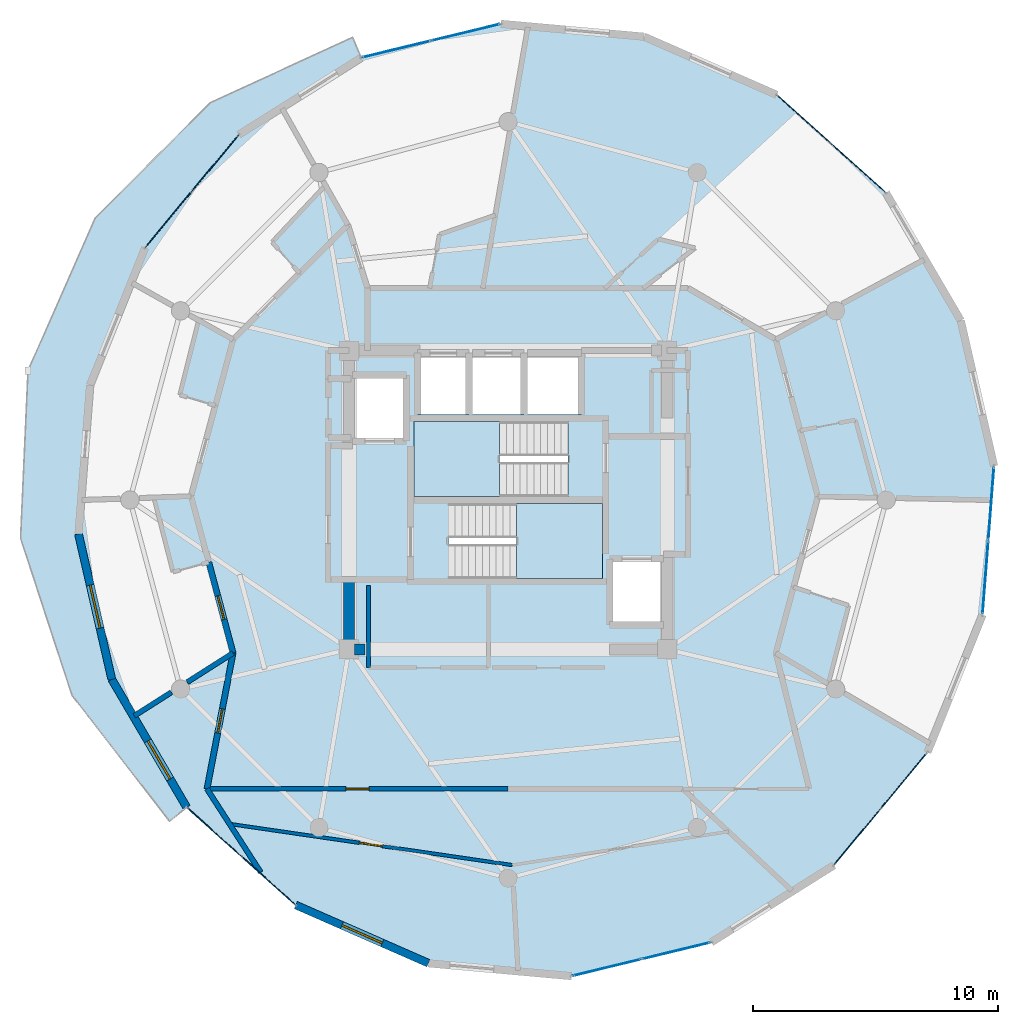
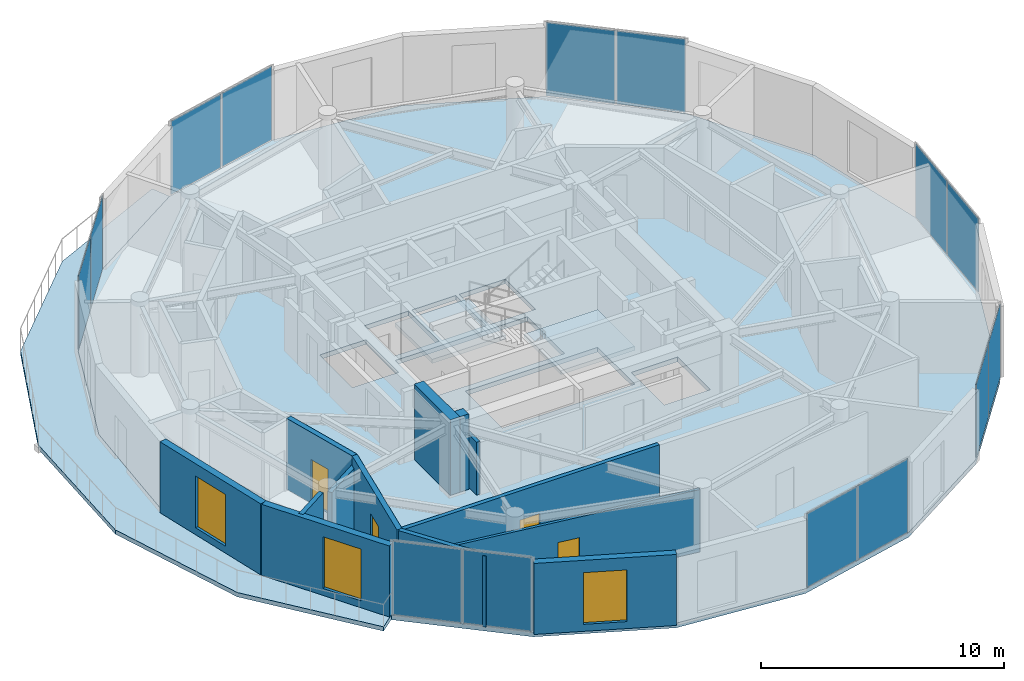
# One storey, part 13 of 19: 14 plates, 13 walls, 4 doors, 4 slabs, 3 windows, 7 openings, 9 elements without a shape of their own.
"""IFC4 building model written with IfcOpenShell, lengths in metres."""

from ifc_helpers import new_model, si_unit, direction, frame, frame_2d, origin, origin_2d, place, context, subcontext, project, spatial, polyline, rectangle, outline, extrude, source, transform, mapped, material, layer, layer_set, type_object, element, fill, aggregate, save


model = new_model("IFC4")

# Units and contexts
model_context = context("Model", 3, precision=1e-05, world=origin(), true_north=direction((0.0, 1.0)))
body_context = subcontext(model_context, "Body", "Model", "MODEL_VIEW")
ifc_project = project(units=[si_unit("LENGTHUNIT", "METRE"), si_unit("AREAUNIT", "SQUARE_METRE"), si_unit("VOLUMEUNIT", "CUBIC_METRE"), si_unit("PLANEANGLEUNIT", "RADIAN"), si_unit("MASSUNIT", "GRAM", prefix="KILO")], contexts=[model_context])

# Site, building, storey
site_placement = place(None, origin())
site = spatial("IfcSite", under=ifc_project, at=site_placement, CompositionType="ELEMENT")
building_placement = place(site_placement, origin())
building = spatial("IfcBuilding", under=site, at=building_placement, Name="Solvirekh Grand Hotel", CompositionType="ELEMENT")
storey_placement = place(building_placement, frame((0.0, 0.0, 266.800048828125)))
storey = spatial("IfcBuildingStorey", under=building, at=storey_placement, Name="L69", CompositionType="ELEMENT", Elevation=266.800048828125)

# Slab
ifc_material_1 = material(Name="Concrete C50/60", Category="concrete")
ifc_layer_1 = layer(ifc_material_1, 0.215087890625)
ifc_layer_set_1 = layer_set([ifc_layer_1], Name="Concrete C50/60")
slab_type_1 = type_object("IfcSlabType", Name="ExtCrescentBalc_215", PredefinedType="FLOOR", material=ifc_layer_set_1)
slab_1_placement = place(storey_placement, frame((0.0, 0.0, -0.215087890625)))
element("IfcSlab", 1, at=slab_1_placement, inside=storey, type_object=slab_type_1, Name="L69 sweeping crescent balcony slab", PredefinedType="FLOOR", context=body_context, shape_type="SweptSolid", body=[
    extrude(outline(polyline([(-6.35009765625, 18.89501953125), (-12.1630859375, 16.23193359375), (-16.864990234375, 11.52001953125), (-19.611083984375, 5.281005859375), (-19.9140625, -1.56201171875), (-17.81494140625, -7.971923828125), (-13.827880859375, -13.12109375), (-13.1298828125, -12.552001953125), (-16.18798828125, -7.327880859375), (-17.549072265625, -1.385986328125), (-17.0791015625, 4.69091796875), (-14.824951171875, 10.30908203125), (-11.007080078125, 14.91796875), (-5.9990234375, 18.06591796875), (-6.35009765625, 18.89501953125)])), origin(), (0.0, 0.0, 1.0), 0.215087890625),
])

# Stair, slab
ifc_material_2 = material(Name="Concrete C40/50", Category="concrete")
stair_type = type_object("IfcStairType", Name="Stair_Core_1450", PredefinedType="HALF_TURN_STAIR", material=ifc_material_2)
stair_1_placement = place(storey_placement, origin())
stair_1 = element("IfcStair", 2, at=stair_1_placement, inside=storey, type_object=stair_type, Name="L69 Enclosed exit stair ST-1", PredefinedType="HALF_TURN_STAIR")
ifc_layer_2 = layer(ifc_material_2, 0.199951171875)
ifc_layer_set_2 = layer_set([ifc_layer_2], Name="Concrete C40/50")
slab_type_2 = type_object("IfcSlabType", Name="Landing_Stair_200", PredefinedType="LANDING", material=ifc_layer_set_2)
slab_2_placement = place(storey_placement, frame((0.0, 0.0, 1.699951171875)))
slab_2 = element("IfcSlab", 3, at=slab_2_placement, type_object=slab_type_2, Name="ST-1 landing 1", PredefinedType="LANDING", context=body_context, shape_type="SweptSolid", body=[
    extrude(outline(polyline([(0.35009765625, -3.199951171875), (3.85009765625, -3.199951171875), (3.85009765625, -0.14990234375), (0.35009765625, -0.14990234375), (0.35009765625, -3.199951171875)])), origin(), (0.0, 0.0, 1.0), 0.199951171875),
])
aggregate(stair_1, [slab_2])

stair_2_placement = place(storey_placement, origin())
stair_2 = element("IfcStair", 4, at=stair_2_placement, inside=storey, type_object=stair_type, Name="L69 Enclosed exit stair ST-2", PredefinedType="HALF_TURN_STAIR")
slab_3_placement = place(storey_placement, frame((0.0, 0.0, 1.699951171875)))
slab_3 = element("IfcSlab", 5, at=slab_3_placement, type_object=slab_type_2, Name="ST-2 landing 1", PredefinedType="LANDING", context=body_context, shape_type="SweptSolid", body=[
    extrude(outline(polyline([(-0.35009765625, 3.199951171875), (-3.85009765625, 3.199951171875), (-3.85009765625, 0.14990234375), (-0.35009765625, 0.14990234375), (-0.35009765625, 3.199951171875)])), origin(), (0.0, 0.0, 1.0), 0.199951171875),
])
aggregate(stair_2, [slab_3])

# Slab
ifc_layer_3 = layer(ifc_material_2, 0.22998046875)
ifc_layer_set_3 = layer_set([ifc_layer_3], Name="Concrete C40/50")
slab_type_3 = type_object("IfcSlabType", Name="Slab_GuestZ4_230", PredefinedType="FLOOR", material=ifc_layer_set_3)
slab_4_placement = place(storey_placement, frame((0.0, 0.0, -0.22998046875)))
element("IfcSlab", 6, at=slab_4_placement, inside=storey, type_object=slab_type_3, Name="L69 structural floor slab", PredefinedType="FLOOR", context=body_context, shape_type="SweptSolid", body=[
    extrude(outline(polyline([(2.592041015625, -19.447021484375), (8.299072265625, -18.06591796875), (13.306884765625, -14.91796875), (17.125, -10.30908203125), (19.37890625, -4.69091796875), (19.84912109375, 1.385986328125), (18.488037109375, 7.327880859375), (15.429931640625, 12.552001953125), (10.97412109375, 16.547119140625), (5.556884765625, 18.923095703125), (-0.2919921875, 19.447021484375), (-5.9990234375, 18.06591796875), (-11.007080078125, 14.91796875), (-14.824951171875, 10.30908203125), (-17.0791015625, 4.69091796875), (-17.549072265625, -1.385986328125), (-16.18798828125, -7.327880859375), (-13.1298828125, -12.552001953125), (-8.674072265625, -16.547119140625), (-3.257080078125, -18.923095703125), (2.592041015625, -19.447021484375)]), holes=[polyline([(-2.444091796875, -0.14990234375), (3.85009765625, -0.14990234375), (3.85009765625, -3.199951171875), (-2.444091796875, -3.199951171875), (-2.444091796875, -0.14990234375)]), polyline([(2.444091796875, 0.14990234375), (-3.85009765625, 0.14990234375), (-3.85009765625, 3.199951171875), (2.444091796875, 3.199951171875), (2.444091796875, 0.14990234375)]), polyline([(-3.699951171875, 6.0), (-1.60009765625, 6.0), (-1.60009765625, 3.5), (-3.699951171875, 3.5), (-3.699951171875, 6.0)]), polyline([(-1.449951171875, 6.0), (0.64990234375, 6.0), (0.64990234375, 3.5), (-1.449951171875, 3.5), (-1.449951171875, 6.0)]), polyline([(0.800048828125, 6.0), (3.0, 6.0), (3.0, 3.5), (0.800048828125, 3.5), (0.800048828125, 6.0)]), polyline([(-6.35009765625, 5.10009765625), (-4.14990234375, 5.10009765625), (-4.14990234375, 2.39990234375), (-6.35009765625, 2.39990234375), (-6.35009765625, 5.10009765625)]), polyline([(4.14990234375, -2.39990234375), (6.35009765625, -2.39990234375), (6.35009765625, -5.10009765625), (4.14990234375, -5.10009765625), (4.14990234375, -2.39990234375)])]), origin(), (0.0, 0.0, 1.0), 0.22998046875),
])

# Curtain wall, plates
ifc_material_3 = material(Name="Anodized Bronze Aluminium 6063-T6", Category="aluminium")
ifc_layer_4 = layer(ifc_material_3, 0.159912109375)
ifc_layer_set_4 = layer_set([ifc_layer_4], Name="Anodized Bronze Aluminium 6063-T6")
curtain_wall_type = type_object("IfcCurtainWallType", Name="CW_Sys4_HighZoneFlushBronzeCW", PredefinedType="NOTDEFINED", material=ifc_layer_set_4)
curtain_wall_1_placement = place(storey_placement, origin())
curtain_wall_1 = element("IfcCurtainWall", 7, at=curtain_wall_1_placement, inside=storey, type_object=curtain_wall_type, Name="L69 unitised bronze-glass curtain wall CW-L69-C01", PredefinedType="NOTDEFINED")
ifc_material_4 = material(Name="Low-E Tinted Bronze Laminated Glass", Category="aluminium")
ifc_layer_5 = layer(ifc_material_4, 0.033935546875)
ifc_layer_set_5 = layer_set([ifc_layer_5], Name="Low-E Tinted Bronze Laminated Glass")
plate_type = type_object("IfcPlateType", Name="CWPanel_High_34", PredefinedType="CURTAIN_PANEL", material=ifc_layer_set_5)
shared_shape_1 = source(origin(), body_context, "Body", "SweptSolid", [
    extrude(rectangle(XDim=2.845947265625, YDim=0.033935546875, at=origin_2d()), origin(), (0.0, 0.0, 1.0), 3.68994140625),
])
plate_1_placement = place(storey_placement, frame((4.033447265625, -19.09814453125, 0.054931640625), z_axis=(0.0, 0.0, 1.0), x_axis=(0.971948100014, 0.235195431247, 0.0)))
plate_1 = element("IfcPlate", 8, at=plate_1_placement, type_object=plate_type, Name="U04 panel 1.1", PredefinedType="CURTAIN_PANEL", context=body_context, shape_type="MappedRepresentation", body=[
    mapped(shared_shape_1, transform((0.0, 0.0, 0.0), x_axis=(1.0, 0.0, 0.0), y_axis=(0.0, 1.0, 0.0), z_axis=(0.0, 0.0, 1.0), scale=1.0)),
])
plate_2_placement = place(storey_placement, frame((6.857666015625, -18.414794921875, 0.054931640625), z_axis=(0.0, 0.0, 1.0), x_axis=(0.971948100014, 0.235195431247, 0.0)))
plate_2 = element("IfcPlate", 9, at=plate_2_placement, type_object=plate_type, Name="U04 panel 2.1", PredefinedType="CURTAIN_PANEL", context=body_context, shape_type="MappedRepresentation", body=[
    mapped(shared_shape_1, transform((0.0, 0.0, 0.0), x_axis=(1.0, 0.0, 0.0), y_axis=(0.0, 1.0, 0.0), z_axis=(0.0, 0.0, 1.0), scale=1.0)),
])
aggregate(curtain_wall_1, [plate_1, plate_2])

curtain_wall_2_placement = place(storey_placement, origin())
curtain_wall_2 = element("IfcCurtainWall", 10, at=curtain_wall_2_placement, inside=storey, type_object=curtain_wall_type, Name="L69 unitised bronze-glass curtain wall CW-L69-C11", PredefinedType="NOTDEFINED")
plate_3_placement = place(storey_placement, frame((-1.7333984375, 19.09814453125, 0.054931640625), z_axis=(0.0, 0.0, 1.0), x_axis=(-0.971948100014, -0.235195431247, 0.0)))
plate_3 = element("IfcPlate", 11, at=plate_3_placement, type_object=plate_type, Name="U04 panel 1.1", PredefinedType="CURTAIN_PANEL", context=body_context, shape_type="MappedRepresentation", body=[
    mapped(shared_shape_1, transform((0.0, 0.0, 0.0), x_axis=(1.0, 0.0, 0.0), y_axis=(0.0, 1.0, 0.0), z_axis=(0.0, 0.0, 1.0), scale=1.0)),
])
plate_4_placement = place(storey_placement, frame((-4.5576171875, 18.414794921875, 0.054931640625), z_axis=(0.0, 0.0, 1.0), x_axis=(-0.971948100014, -0.235195431247, 0.0)))
plate_4 = element("IfcPlate", 12, at=plate_4_placement, type_object=plate_type, Name="U04 panel 2.1", PredefinedType="CURTAIN_PANEL", context=body_context, shape_type="MappedRepresentation", body=[
    mapped(shared_shape_1, transform((0.0, 0.0, 0.0), x_axis=(1.0, 0.0, 0.0), y_axis=(0.0, 1.0, 0.0), z_axis=(0.0, 0.0, 1.0), scale=1.0)),
])
aggregate(curtain_wall_2, [plate_3, plate_4])

curtain_wall_3_placement = place(storey_placement, origin())
curtain_wall_3 = element("IfcCurtainWall", 13, at=curtain_wall_3_placement, inside=storey, type_object=curtain_wall_type, Name="L69 unitised bronze-glass curtain wall CW-L69-C08", PredefinedType="NOTDEFINED")
shared_shape_2 = source(origin(), body_context, "Body", "SweptSolid", [
    extrude(rectangle(XDim=2.90234375, YDim=0.033935546875, at=origin_2d()), origin(), (0.0, 0.0, 1.0), 3.68994140625),
])
plate_5_placement = place(storey_placement, frame((14.304931640625, 13.560791015625, 0.054931640625), z_axis=(0.0, 0.0, 1.0), x_axis=(-0.744572304489, 0.667541821452, 0.0)))
plate_5 = element("IfcPlate", 14, at=plate_5_placement, type_object=plate_type, Name="U04 panel 1.1", PredefinedType="CURTAIN_PANEL", context=body_context, shape_type="MappedRepresentation", body=[
    mapped(shared_shape_2, transform((0.0, 0.0, 0.0), x_axis=(1.0, 0.0, 0.0), y_axis=(0.0, 1.0, 0.0), z_axis=(0.0, 0.0, 1.0), scale=1.0)),
])
plate_6_placement = place(storey_placement, frame((12.09912109375, 15.538330078125, 0.054931640625), z_axis=(0.0, 0.0, 1.0), x_axis=(-0.744572304489, 0.667541821452, 0.0)))
plate_6 = element("IfcPlate", 15, at=plate_6_placement, type_object=plate_type, Name="U04 panel 2.1", PredefinedType="CURTAIN_PANEL", context=body_context, shape_type="MappedRepresentation", body=[
    mapped(shared_shape_2, transform((0.0, 0.0, 0.0), x_axis=(1.0, 0.0, 0.0), y_axis=(0.0, 1.0, 0.0), z_axis=(0.0, 0.0, 1.0), scale=1.0)),
])
aggregate(curtain_wall_3, [plate_5, plate_6])

curtain_wall_4_placement = place(storey_placement, origin())
curtain_wall_4 = element("IfcCurtainWall", 16, at=curtain_wall_4_placement, inside=storey, type_object=curtain_wall_type, Name="L69 unitised bronze-glass curtain wall CW-L69-C18", PredefinedType="NOTDEFINED")
plate_7_placement = place(storey_placement, frame((-12.0048828125, -13.560791015625, 0.054931640625), z_axis=(0.0, 0.0, 1.0), x_axis=(0.744572304489, -0.667541821452, 0.0)))
plate_7 = element("IfcPlate", 17, at=plate_7_placement, type_object=plate_type, Name="U04 panel 1.1", PredefinedType="CURTAIN_PANEL", context=body_context, shape_type="MappedRepresentation", body=[
    mapped(shared_shape_2, transform((0.0, 0.0, 0.0), x_axis=(1.0, 0.0, 0.0), y_axis=(0.0, 1.0, 0.0), z_axis=(0.0, 0.0, 1.0), scale=1.0)),
])
plate_8_placement = place(storey_placement, frame((-9.799072265625, -15.538330078125, 0.054931640625), z_axis=(0.0, 0.0, 1.0), x_axis=(0.744572304489, -0.667541821452, 0.0)))
plate_8 = element("IfcPlate", 18, at=plate_8_placement, type_object=plate_type, Name="U04 panel 2.1", PredefinedType="CURTAIN_PANEL", context=body_context, shape_type="MappedRepresentation", body=[
    mapped(shared_shape_2, transform((0.0, 0.0, 0.0), x_axis=(1.0, 0.0, 0.0), y_axis=(0.0, 1.0, 0.0), z_axis=(0.0, 0.0, 1.0), scale=1.0)),
])
aggregate(curtain_wall_4, [plate_7, plate_8])

curtain_wall_5_placement = place(storey_placement, origin())
curtain_wall_5 = element("IfcCurtainWall", 19, at=curtain_wall_5_placement, inside=storey, type_object=curtain_wall_type, Name="L69 unitised bronze-glass curtain wall CW-L69-C03", PredefinedType="NOTDEFINED")
shared_shape_3 = source(origin(), body_context, "Body", "SweptSolid", [
    extrude(rectangle(XDim=2.902587890625, YDim=0.033935546875, at=origin_2d()), origin(), (0.0, 0.0, 1.0), 3.68994140625),
])
plate_9_placement = place(storey_placement, frame((14.27099609375, -13.754150390625, 0.054931640625), z_axis=(0.0, 0.0, 1.0), x_axis=(0.637930112739, 0.770094261283, 0.0)))
plate_9 = element("IfcPlate", 20, at=plate_9_placement, type_object=plate_type, Name="U04 panel 1.1", PredefinedType="CURTAIN_PANEL", context=body_context, shape_type="MappedRepresentation", body=[
    mapped(shared_shape_3, transform((0.0, 0.0, 0.0), x_axis=(1.0, 0.0, 0.0), y_axis=(0.0, 1.0, 0.0), z_axis=(0.0, 0.0, 1.0), scale=1.0)),
])
plate_10_placement = place(storey_placement, frame((16.160888671875, -11.472900390625, 0.054931640625), z_axis=(0.0, 0.0, 1.0), x_axis=(0.637930112739, 0.770094261283, 0.0)))
plate_10 = element("IfcPlate", 21, at=plate_10_placement, type_object=plate_type, Name="U04 panel 2.1", PredefinedType="CURTAIN_PANEL", context=body_context, shape_type="MappedRepresentation", body=[
    mapped(shared_shape_3, transform((0.0, 0.0, 0.0), x_axis=(1.0, 0.0, 0.0), y_axis=(0.0, 1.0, 0.0), z_axis=(0.0, 0.0, 1.0), scale=1.0)),
])
aggregate(curtain_wall_5, [plate_9, plate_10])

curtain_wall_6_placement = place(storey_placement, origin())
curtain_wall_6 = element("IfcCurtainWall", 22, at=curtain_wall_6_placement, inside=storey, type_object=curtain_wall_type, Name="L69 unitised bronze-glass curtain wall CW-L69-C13", PredefinedType="NOTDEFINED")
plate_11_placement = place(storey_placement, frame((-11.970947265625, 13.754150390625, 0.054931640625), z_axis=(0.0, 0.0, 1.0), x_axis=(-0.637930112739, -0.770094261283, 0.0)))
plate_11 = element("IfcPlate", 23, at=plate_11_placement, type_object=plate_type, Name="U04 panel 1.1", PredefinedType="CURTAIN_PANEL", context=body_context, shape_type="MappedRepresentation", body=[
    mapped(shared_shape_3, transform((0.0, 0.0, 0.0), x_axis=(1.0, 0.0, 0.0), y_axis=(0.0, 1.0, 0.0), z_axis=(0.0, 0.0, 1.0), scale=1.0)),
])
plate_12_placement = place(storey_placement, frame((-13.86083984375, 11.472900390625, 0.054931640625), z_axis=(0.0, 0.0, 1.0), x_axis=(-0.637930112739, -0.770094261283, 0.0)))
plate_12 = element("IfcPlate", 24, at=plate_12_placement, type_object=plate_type, Name="U04 panel 2.1", PredefinedType="CURTAIN_PANEL", context=body_context, shape_type="MappedRepresentation", body=[
    mapped(shared_shape_3, transform((0.0, 0.0, 0.0), x_axis=(1.0, 0.0, 0.0), y_axis=(0.0, 1.0, 0.0), z_axis=(0.0, 0.0, 1.0), scale=1.0)),
])
aggregate(curtain_wall_6, [plate_11, plate_12])

curtain_wall_7_placement = place(storey_placement, origin())
curtain_wall_7 = element("IfcCurtainWall", 25, at=curtain_wall_7_placement, inside=storey, type_object=curtain_wall_type, Name="L69 unitised bronze-glass curtain wall CW-L69-C05", PredefinedType="NOTDEFINED")
shared_shape_4 = source(origin(), body_context, "Body", "SweptSolid", [
    extrude(rectangle(XDim=2.95751953125, YDim=0.033935546875, at=origin_2d()), origin(), (0.0, 0.0, 1.0), 3.68994140625),
])
plate_13_placement = place(storey_placement, frame((19.49755859375, -3.15673828125, 0.054931640625), z_axis=(0.0, 0.0, 1.0), x_axis=(0.077110514934, 0.997022551644, 0.0)))
plate_13 = element("IfcPlate", 26, at=plate_13_placement, type_object=plate_type, Name="U04 panel 1.1", PredefinedType="CURTAIN_PANEL", context=body_context, shape_type="MappedRepresentation", body=[
    mapped(shared_shape_4, transform((0.0, 0.0, 0.0), x_axis=(1.0, 0.0, 0.0), y_axis=(0.0, 1.0, 0.0), z_axis=(0.0, 0.0, 1.0), scale=1.0)),
])
plate_14_placement = place(storey_placement, frame((19.730224609375, -0.148193359375, 0.054931640625), z_axis=(0.0, 0.0, 1.0), x_axis=(0.077110514934, 0.997022551644, 0.0)))
plate_14 = element("IfcPlate", 27, at=plate_14_placement, type_object=plate_type, Name="U04 panel 2.1", PredefinedType="CURTAIN_PANEL", context=body_context, shape_type="MappedRepresentation", body=[
    mapped(shared_shape_4, transform((0.0, 0.0, 0.0), x_axis=(1.0, 0.0, 0.0), y_axis=(0.0, 1.0, 0.0), z_axis=(0.0, 0.0, 1.0), scale=1.0)),
])
aggregate(curtain_wall_7, [plate_13, plate_14])

# Walls
ifc_layer_6 = layer(ifc_material_1, 0.449951171875)
ifc_layer_set_6 = layer_set([ifc_layer_6], Name="Concrete C50/60")
wall_type_1 = type_object("IfcWallType", Name="CoreWall_RC450", PredefinedType="SHEAR", material=ifc_layer_set_6)
wall_1_placement = place(storey_placement, frame((-6.27490234375, -6.10009765625, 0.0), z_axis=(0.0, 0.0, 1.0), x_axis=(1.0, 0.0, 0.0)))
element("IfcWall", 28, at=wall_1_placement, inside=storey, type_object=wall_type_1, Name="L69 core corner shear wall SW-S", PredefinedType="SHEAR", context=body_context, shape_type="SweptSolid", body=[
    extrude(rectangle(XDim=0.4248046875, YDim=0.449951171875, at=frame_2d((0.21240234375, 0.0))), origin(), (0.0, 0.0, 1.0), 3.800048828125),
])
wall_2_placement = place(storey_placement, frame((-6.5, -6.324951171875, 0.0), z_axis=(0.0, 0.0, 1.0), x_axis=(0.0, 1.0, 0.0)))
element("IfcWall", 29, at=wall_2_placement, inside=storey, type_object=wall_type_1, Name="L69 core corner shear wall WS-W", PredefinedType="SHEAR", context=body_context, shape_type="SweptSolid", body=[
    extrude(rectangle(XDim=2.974853515625, YDim=0.449951171875, at=frame_2d((1.4873046875, 0.0))), origin(), (0.0, 0.0, 1.0), 3.800048828125),
])

# Wall, opening, window
ifc_material_5 = material(Name="Precast concrete C45/55", Category="concrete")
ifc_layer_7 = layer(ifc_material_5, 0.320068359375)
ifc_layer_set_7 = layer_set([ifc_layer_7], Name="Precast concrete C45/55")
wall_type_2 = type_object("IfcWallType", Name="ExtLobbyWall_RC320", PredefinedType="SOLIDWALL", material=ifc_layer_set_7)
wall_3_placement = place(storey_placement, frame((-16.18798828125, -7.327880859375, 0.0), z_axis=(0.0, 0.0, 1.0), x_axis=(-0.223282610096, 0.974753751482, 0.0)))
wall_3 = element("IfcWall", 30, at=wall_3_placement, inside=storey, type_object=wall_type_2, Name="L69 exterior structural wall chord 16", PredefinedType="SOLIDWALL", context=body_context, shape_type="SweptSolid", body=[
    extrude(rectangle(XDim=6.095703125, YDim=0.320068359375, at=frame_2d((3.0478515625, 0.0))), origin(), (0.0, 0.0, 1.0), 3.570068359375),
])
opening_1_placement = place(wall_3_placement, frame((2.14794921875, 0.0, 0.35009765625)))
opening_1 = element("IfcOpeningElement", 31, at=opening_1_placement, cuts=wall_3, Name="Opening W02", PredefinedType="OPENING", context=body_context, shape_type="SweptSolid", body=[
    extrude(rectangle(XDim=1.800048828125, YDim=2.60009765625, at=frame_2d((0.89990234375, 1.300048828125))), frame((0.0, 0.169921875, 0.0), z_axis=(0.0, -1.0, 0.0), x_axis=(1.0, 0.0, 0.0)), (0.0, 0.0, 1.0), 0.340087890625),
])
window_type = type_object("IfcWindowType", Name="Win_LobbyExt_1800X2600", PartitioningType="SINGLE_PANEL", PredefinedType="WINDOW", material=ifc_material_4)
window_1_placement = place(opening_1_placement, origin())
window_1 = element("IfcWindow", 32, at=window_1_placement, inside=storey, type_object=window_type, Name="L69 panoramic bronze-framed window 16", OverallHeight=2.60009765625, OverallWidth=1.800048828125, PartitioningType="SINGLE_PANEL", PredefinedType="WINDOW", context=body_context, shape_type="SweptSolid", body=[
    extrude(rectangle(XDim=1.800048828125, YDim=2.60009765625, at=frame_2d((0.89990234375, 1.300048828125))), frame((0.0, 0.030029296875, 0.0), z_axis=(0.0, -1.0, 0.0), x_axis=(1.0, 0.0, 0.0)), (0.0, 0.0, 1.0), 0.06005859375),
])
fill(opening_1, window_1)

wall_4_placement = place(storey_placement, frame((-13.1298828125, -12.552001953125, 0.0), z_axis=(0.0, 0.0, 1.0), x_axis=(-0.505189458577, 0.863008465163, 0.0)))
wall_4 = element("IfcWall", 33, at=wall_4_placement, inside=storey, type_object=wall_type_2, Name="L69 exterior structural wall chord 17", PredefinedType="SOLIDWALL", context=body_context, shape_type="SweptSolid", body=[
    extrude(rectangle(XDim=6.053466796875, YDim=0.320068359375, at=frame_2d((3.02685546875, 0.0))), origin(), (0.0, 0.0, 1.0), 3.570068359375),
])
opening_2_placement = place(wall_4_placement, frame((1.340087890625, 0.0, 0.35009765625)))
opening_2 = element("IfcOpeningElement", 34, at=opening_2_placement, cuts=wall_4, Name="Opening W02", PredefinedType="OPENING", context=body_context, shape_type="SweptSolid", body=[
    extrude(rectangle(XDim=1.800048828125, YDim=2.60009765625, at=frame_2d((0.89990234375, 1.300048828125))), frame((0.0, 0.169921875, 0.0), z_axis=(0.0, -1.0, 0.0), x_axis=(1.0, 0.0, 0.0)), (0.0, 0.0, 1.0), 0.340087890625),
])
window_2_placement = place(opening_2_placement, origin())
window_2 = element("IfcWindow", 35, at=window_2_placement, inside=storey, type_object=window_type, Name="L69 panoramic bronze-framed window 17", OverallHeight=2.60009765625, OverallWidth=1.800048828125, PartitioningType="SINGLE_PANEL", PredefinedType="WINDOW", context=body_context, shape_type="SweptSolid", body=[
    extrude(rectangle(XDim=1.800048828125, YDim=2.60009765625, at=frame_2d((0.89990234375, 1.300048828125))), frame((0.0, 0.030029296875, 0.0), z_axis=(0.0, -1.0, 0.0), x_axis=(1.0, 0.0, 0.0)), (0.0, 0.0, 1.0), 0.06005859375),
])
fill(opening_2, window_2)

wall_5_placement = place(storey_placement, frame((-3.257080078125, -18.923095703125, 0.0), z_axis=(0.0, 0.0, 1.0), x_axis=(-0.915781816255, 0.401676069758, 0.0)))
wall_5 = element("IfcWall", 36, at=wall_5_placement, inside=storey, type_object=wall_type_2, Name="L69 exterior structural wall chord 19", PredefinedType="SOLIDWALL", context=body_context, shape_type="SweptSolid", body=[
    extrude(rectangle(XDim=5.9150390625, YDim=0.320068359375, at=frame_2d((2.95751953125, 0.0))), origin(), (0.0, 0.0, 1.0), 3.570068359375),
])
opening_3_placement = place(wall_5_placement, frame((2.05810546875, 0.0, 0.35009765625)))
opening_3 = element("IfcOpeningElement", 37, at=opening_3_placement, cuts=wall_5, Name="Opening W02", PredefinedType="OPENING", context=body_context, shape_type="SweptSolid", body=[
    extrude(rectangle(XDim=1.800048828125, YDim=2.60009765625, at=frame_2d((0.89990234375, 1.300048828125))), frame((0.0, 0.169921875, 0.0), z_axis=(0.0, -1.0, 0.0), x_axis=(1.0, 0.0, 0.0)), (0.0, 0.0, 1.0), 0.340087890625),
])
window_3_placement = place(opening_3_placement, origin())
window_3 = element("IfcWindow", 38, at=window_3_placement, inside=storey, type_object=window_type, Name="L69 panoramic bronze-framed window 19", OverallHeight=2.60009765625, OverallWidth=1.800048828125, PartitioningType="SINGLE_PANEL", PredefinedType="WINDOW", context=body_context, shape_type="SweptSolid", body=[
    extrude(rectangle(XDim=1.800048828125, YDim=2.60009765625, at=frame_2d((0.89990234375, 1.300048828125))), frame((0.0, 0.030029296875, 0.0), z_axis=(0.0, -1.0, 0.0), x_axis=(1.0, 0.0, 0.0)), (0.0, 0.0, 1.0), 0.06005859375),
])
fill(opening_3, window_3)

# Wall
ifc_material_6 = material(Name="Acoustic Gypsum Partition Assembly")
ifc_layer_8 = layer(ifc_material_6, 0.1650390625)
ifc_layer_set_8 = layer_set([ifc_layer_8], Name="Acoustic Gypsum Partition Assembly")
wall_type_3 = type_object("IfcWallType", Name="Part_BOH_165", PredefinedType="PARTITIONING", material=ifc_layer_set_8)
wall_6_placement = place(storey_placement, frame((-5.699951171875, -3.5, 0.0), z_axis=(0.0, 0.0, 1.0), x_axis=(0.0, -1.0, 0.0)))
element("IfcWall", 39, at=wall_6_placement, inside=storey, type_object=wall_type_3, Name="L69 High-Zone Housekeeping Linen Room wall 4", PredefinedType="PARTITIONING", context=body_context, shape_type="SweptSolid", body=[
    extrude(rectangle(XDim=3.35009765625, YDim=0.1650390625, at=frame_2d((1.675048828125, 0.0))), origin(), (0.0, 0.0, 1.0), 2.655029296875),
])

# Wall, opening, door
ifc_layer_9 = layer(ifc_material_6, 0.239990234375)
ifc_layer_set_9 = layer_set([ifc_layer_9], Name="Acoustic Gypsum Partition Assembly")
wall_type_4 = type_object("IfcWallType", Name="Part_Corridor_240", PredefinedType="PARTITIONING", material=ifc_layer_set_9)
wall_7_placement = place(storey_placement, frame((-12.22998046875, -2.5380859375, 0.0), z_axis=(0.0, 0.0, 1.0), x_axis=(0.258884274469, -0.965908345772, 0.0)))
wall_7 = element("IfcWall", 40, at=wall_7_placement, inside=storey, type_object=wall_type_4, Name="L69 Deluxe Guestroom 7105 entrance wall", PredefinedType="PARTITIONING", context=body_context, shape_type="SweptSolid", body=[
    extrude(rectangle(XDim=3.843017578125, YDim=0.239990234375, at=frame_2d((1.92138671875, 0.0))), origin(), (0.0, 0.0, 1.0), 3.570068359375),
])
opening_4_placement = place(wall_7_placement, frame((1.422119140625, 0.0, 0.0)))
opening_4 = element("IfcOpeningElement", 41, at=opening_4_placement, cuts=wall_7, Name="Opening D07", PredefinedType="OPENING", context=body_context, shape_type="SweptSolid", body=[
    extrude(rectangle(XDim=1.0, YDim=2.199951171875, at=frame_2d((0.5, 1.10009765625))), frame((0.0, 0.1298828125, 0.0), z_axis=(0.0, -1.0, 0.0), x_axis=(1.0, 0.0, 0.0)), (0.0, 0.0, 1.0), 0.260009765625),
])
ifc_material_7 = material(Name="Fire-Rated Steel Door Assembly", Category="steel")
door_type_1 = type_object("IfcDoorType", Name="Door_GuestEntry_1000X2200", OperationType="NOTDEFINED", PredefinedType="DOOR", material=ifc_material_7)
door_1_placement = place(opening_4_placement, origin())
door_1 = element("IfcDoor", 42, at=door_1_placement, inside=storey, type_object=door_type_1, Name="L69 Deluxe Guestroom 7105 entrance door", OperationType="SINGLE_SWING_LEFT", OverallHeight=2.199951171875, OverallWidth=1.0, PredefinedType="DOOR", context=body_context, shape_type="SweptSolid", body=[
    extrude(rectangle(XDim=1.0, YDim=2.199951171875, at=frame_2d((0.5, 1.10009765625))), frame((0.0, 0.02490234375, 0.0), z_axis=(0.0, -1.0, 0.0), x_axis=(1.0, 0.0, 0.0)), (0.0, 0.0, 1.0), 0.050048828125),
])
fill(opening_4, door_1)

wall_8_placement = place(storey_placement, frame((-11.235107421875, -6.25, 0.0), z_axis=(0.0, 0.0, 1.0), x_axis=(-0.18844199237, -0.982084321997, 0.0)))
wall_8 = element("IfcWall", 43, at=wall_8_placement, inside=storey, type_object=wall_type_4, Name="L69 L69 South-West Study Lounge entrance wall", PredefinedType="PARTITIONING", context=body_context, shape_type="SweptSolid", body=[
    extrude(rectangle(XDim=5.6513671875, YDim=0.239990234375, at=frame_2d((2.82568359375, 0.0))), origin(), (0.0, 0.0, 1.0), 3.570068359375),
])
opening_5_placement = place(wall_8_placement, frame((2.325927734375, 0.0, 0.0)))
opening_5 = element("IfcOpeningElement", 44, at=opening_5_placement, cuts=wall_8, Name="Opening D07", PredefinedType="OPENING", context=body_context, shape_type="SweptSolid", body=[
    extrude(rectangle(XDim=1.0, YDim=2.199951171875, at=frame_2d((0.5, 1.10009765625))), frame((0.0, 0.1298828125, 0.0), z_axis=(0.0, -1.0, 0.0), x_axis=(1.0, 0.0, 0.0)), (0.0, 0.0, 1.0), 0.260009765625),
])
door_2_placement = place(opening_5_placement, origin())
door_2 = element("IfcDoor", 45, at=door_2_placement, inside=storey, type_object=door_type_1, Name="L69 L69 South-West Study Lounge entrance door", OperationType="SINGLE_SWING_LEFT", OverallHeight=2.199951171875, OverallWidth=1.0, PredefinedType="DOOR", context=body_context, shape_type="SweptSolid", body=[
    extrude(rectangle(XDim=1.0, YDim=2.199951171875, at=frame_2d((0.5, 1.10009765625))), frame((0.0, 0.02490234375, 0.0), z_axis=(0.0, -1.0, 0.0), x_axis=(1.0, 0.0, 0.0)), (0.0, 0.0, 1.0), 0.050048828125),
])
fill(opening_5, door_2)

ifc_layer_10 = layer(ifc_material_6, 0.18994140625)
ifc_layer_set_10 = layer_set([ifc_layer_10], Name="Acoustic Gypsum Partition Assembly")
wall_type_5 = type_object("IfcWallType", Name="Part_GuestDemise_190", PredefinedType="PARTITIONING", material=ifc_layer_set_10)
wall_9_placement = place(storey_placement, frame((-12.300048828125, -11.800048828125, 0.0), z_axis=(0.0, 0.0, 1.0), x_axis=(1.0, 0.0, 0.0)))
wall_9 = element("IfcWall", 46, at=wall_9_placement, inside=storey, type_object=wall_type_5, Name="L69 L69 Skyline Library Lounge entrance wall", PredefinedType="PARTITIONING", context=body_context, shape_type="SweptSolid", body=[
    extrude(rectangle(XDim=12.300048828125, YDim=0.18994140625, at=frame_2d((6.14990234375, 0.0))), origin(), (0.0, 0.0, 1.0), 3.570068359375),
])
opening_6_placement = place(wall_9_placement, frame((5.675048828125, 0.0, 0.0)))
opening_6 = element("IfcOpeningElement", 47, at=opening_6_placement, cuts=wall_9, Name="Opening D10", PredefinedType="OPENING", context=body_context, shape_type="SweptSolid", body=[
    extrude(rectangle(XDim=0.949951171875, YDim=2.10009765625, at=frame_2d((0.47509765625, 1.050048828125))), frame((0.0, 0.10498046875, 0.0), z_axis=(0.0, -1.0, 0.0), x_axis=(1.0, 0.0, 0.0)), (0.0, 0.0, 1.0), 0.2099609375),
])
door_type_2 = type_object("IfcDoorType", Name="Door_RoomInt_950X2100", OperationType="NOTDEFINED", PredefinedType="DOOR", material=ifc_material_3)
door_3_placement = place(opening_6_placement, origin())
door_3 = element("IfcDoor", 48, at=door_3_placement, inside=storey, type_object=door_type_2, Name="L69 L69 Skyline Library Lounge entrance door", OperationType="SINGLE_SWING_RIGHT", OverallHeight=2.10009765625, OverallWidth=0.949951171875, PredefinedType="DOOR", context=body_context, shape_type="SweptSolid", body=[
    extrude(rectangle(XDim=0.949951171875, YDim=2.10009765625, at=frame_2d((0.47509765625, 1.050048828125))), frame((0.0, 0.02490234375, 0.0), z_axis=(0.0, -1.0, 0.0), x_axis=(1.0, 0.0, 0.0)), (0.0, 0.0, 1.0), 0.050048828125),
])
fill(opening_6, door_3)

ifc_layer_11 = layer(ifc_material_6, 0.135009765625)
ifc_layer_set_11 = layer_set([ifc_layer_11], Name="Acoustic Gypsum Partition Assembly")
wall_type_6 = type_object("IfcWallType", Name="Part_RoomInt_135", PredefinedType="PARTITIONING", material=ifc_layer_set_11)
wall_10_placement = place(storey_placement, frame((-11.37890625, -13.23193359375, 0.0), z_axis=(0.0, 0.0, 1.0), x_axis=(0.989568551516, -0.144062770523, 0.0)))
wall_10 = element("IfcWall", 49, at=wall_10_placement, inside=storey, type_object=wall_type_6, Name="L69 L69 South Horizon Conservatory bedroom screen wall", PredefinedType="PARTITIONING", context=body_context, shape_type="SweptSolid", body=[
    extrude(rectangle(XDim=11.669677734375, YDim=0.135009765625, at=frame_2d((5.8349609375, 0.0))), origin(), (0.0, 0.0, 1.0), 3.136962890625),
])
opening_7_placement = place(wall_10_placement, frame((5.360107421875, 0.0, 0.0)))
opening_7 = element("IfcOpeningElement", 50, at=opening_7_placement, cuts=wall_10, Name="Opening D10", PredefinedType="OPENING", context=body_context, shape_type="SweptSolid", body=[
    extrude(rectangle(XDim=0.949951171875, YDim=2.10009765625, at=frame_2d((0.47509765625, 1.050048828125))), frame((0.0, 0.07763671875, 0.0), z_axis=(0.0, -1.0, 0.0), x_axis=(1.0, 0.0, 0.0)), (0.0, 0.0, 1.0), 0.155029296875),
])
door_4_placement = place(opening_7_placement, origin())
door_4 = element("IfcDoor", 51, at=door_4_placement, inside=storey, type_object=door_type_2, Name="L69 L69 South Horizon Conservatory master bedroom door", OperationType="SINGLE_SWING_RIGHT", OverallHeight=2.10009765625, OverallWidth=0.949951171875, PredefinedType="DOOR", context=body_context, shape_type="SweptSolid", body=[
    extrude(rectangle(XDim=0.949951171875, YDim=2.10009765625, at=frame_2d((0.47509765625, 1.050048828125))), frame((0.0, 0.02490234375, 0.0), z_axis=(0.0, -1.0, 0.0), x_axis=(1.0, 0.0, 0.0)), (0.0, 0.0, 1.0), 0.050048828125),
])
fill(opening_7, door_4)

# Walls
ifc_layer_12 = layer(ifc_material_6, 0.2099609375)
ifc_layer_set_12 = layer_set([ifc_layer_12], Name="Acoustic Gypsum Partition Assembly")
wall_type_7 = type_object("IfcWallType", Name="Part_SuiteDemise_210", PredefinedType="PARTITIONING", material=ifc_layer_set_12)
wall_11_placement = place(storey_placement, frame((-11.235107421875, -6.25, 0.0), z_axis=(0.0, 0.0, 1.0), x_axis=(-0.843783883801, -0.536683107092, 0.0)))
element("IfcWall", 52, at=wall_11_placement, inside=storey, type_object=wall_type_7, Name="L69 suite radial wall 8 (A)", PredefinedType="PARTITIONING", context=body_context, shape_type="SweptSolid", body=[
    extrude(rectangle(XDim=2.21728515625, YDim=0.2099609375, at=frame_2d((1.108642578125, 0.0))), origin(), (0.0, 0.0, 1.0), 3.0849609375),
])
wall_12_placement = place(storey_placement, frame((-13.75390625, -7.85205078125, 0.0), z_axis=(0.0, 0.0, 1.0), x_axis=(-0.843896422102, -0.536506131152, 0.0)))
element("IfcWall", 53, at=wall_12_placement, inside=storey, type_object=wall_type_7, Name="L69 suite radial wall 8 (B)", PredefinedType="PARTITIONING", context=body_context, shape_type="SweptSolid", body=[
    extrude(rectangle(XDim=1.796630859375, YDim=0.2099609375, at=frame_2d((0.8984375, 0.0))), origin(), (0.0, 0.0, 1.0), 3.570068359375),
])
wall_13_placement = place(storey_placement, frame((-12.300048828125, -11.800048828125, 0.0), z_axis=(0.0, 0.0, 1.0), x_axis=(0.541107501705, -0.840953430101, 0.0)))
element("IfcWall", 54, at=wall_13_placement, inside=storey, type_object=wall_type_7, Name="L69 L69 Skyline Library Lounge dividing partition 2", PredefinedType="PARTITIONING", context=body_context, shape_type="SweptSolid", body=[
    extrude(rectangle(XDim=4.054931640625, YDim=0.2099609375, at=frame_2d((2.02734375, 0.0))), origin(), (0.0, 0.0, 1.0), 3.570068359375),
])

save(model, "model.ifc")
